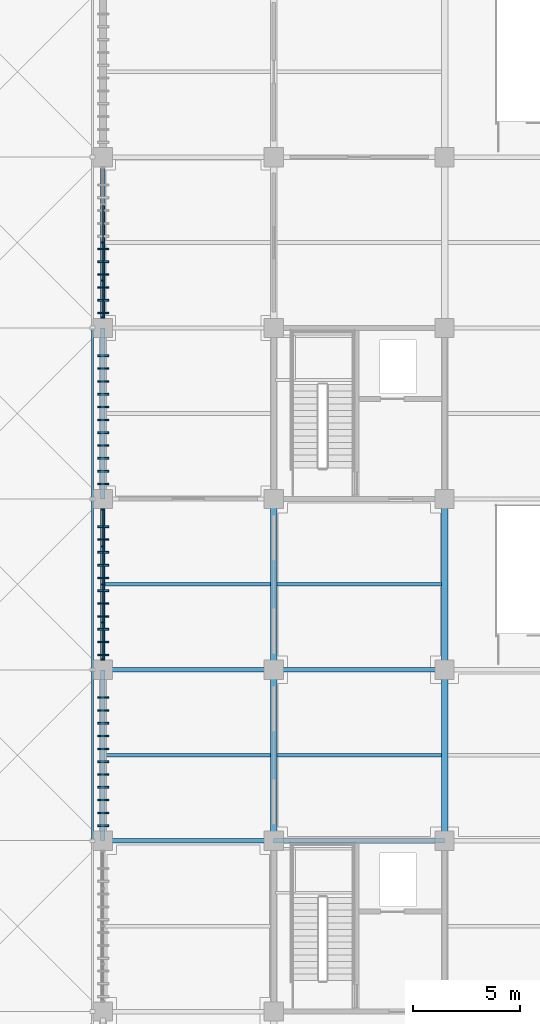
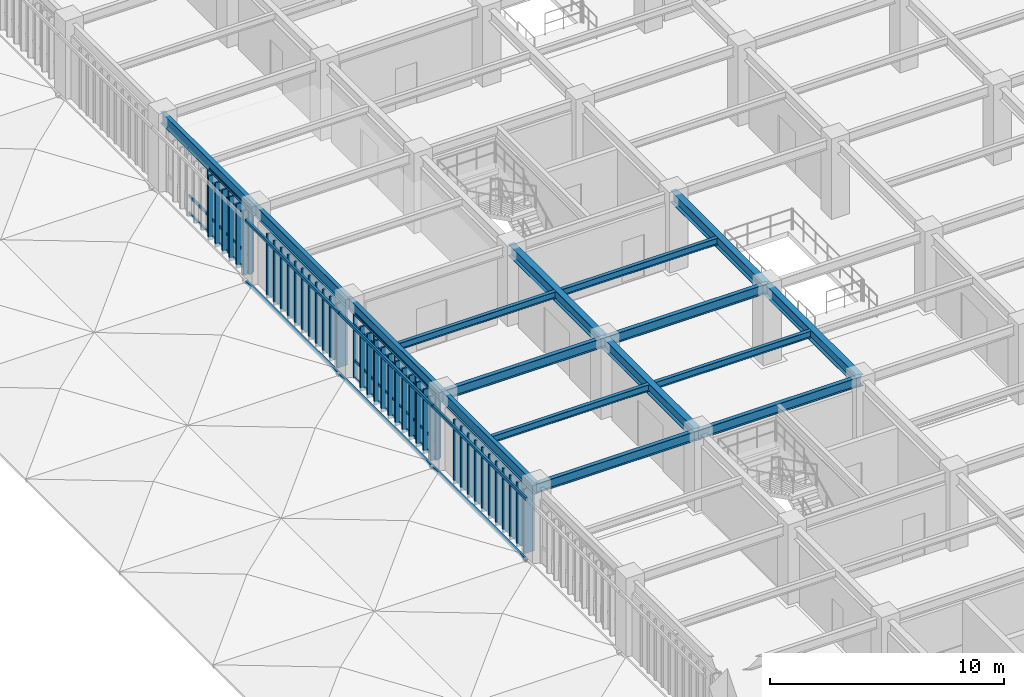
# One storey, part 25 of 118: 79 members, 16 beams, 2 elements without a shape of their own.
"""IFC4 building model written with IfcOpenShell, lengths in metres."""

from ifc_helpers import new_model, si_unit, direction, frame, origin, origin_2d, place, context, subcontext, project, spatial, rectangle, hollow_rectangle, i_section, extrude, material, layer, layer_set, material_profile, profile_set, type_object, element, aggregate, save


model = new_model("IFC4")

# Units and contexts
model_context = context("Model", 3, precision=1e-05, world=origin(), true_north=direction((0.0, 1.0)))
body_context = subcontext(model_context, "Body", "Model", "MODEL_VIEW")
ifc_project = project(units=[si_unit("LENGTHUNIT", "METRE"), si_unit("AREAUNIT", "SQUARE_METRE"), si_unit("VOLUMEUNIT", "CUBIC_METRE"), si_unit("PLANEANGLEUNIT", "RADIAN"), si_unit("MASSUNIT", "GRAM", prefix="KILO")], contexts=[model_context])

# Site, building, storey
site_placement = place(None, origin())
site = spatial("IfcSite", under=ifc_project, at=site_placement, CompositionType="ELEMENT")
building_placement = place(site_placement, origin())
building = spatial("IfcBuilding", under=site, at=building_placement, Name="Haebicheon Civic Stadium", CompositionType="ELEMENT")
storey_placement = place(building_placement, frame((0.0, 0.0, 14.39990234375)))
storey = spatial("IfcBuildingStorey", under=building, at=storey_placement, Name="L04", CompositionType="ELEMENT", Elevation=14.39990234375)

# Beams
ifc_material_1 = material(Name="Steel SM355 (S355)", Category="steel")
ifc_material_profile_1 = material_profile(ifc_material_1, i_section(OverallWidth=0.199951171875, OverallDepth=0.5, WebThickness=0.010009765625, FlangeThickness=0.01611328125, at=origin_2d()), Name="H-500x200x10x16")
ifc_profile_set_1 = profile_set([ifc_material_profile_1], Name="Steel SM355 (S355)")
beam_type_1 = type_object("IfcBeamType", Name="BM-ST-H500", PredefinedType="BEAM", material=ifc_profile_set_1)
for number, where, z_axis, x_axis, name in (
    (1, (24.0, 64.0, 3.690185546875), (1.0, 0.0, 0.0), (0.0, 1.0, 0.0), "L04 beam J/4-5"),
    (2, (24.0, 72.0, 3.690185546875), (1.0, 0.0, 0.0), (0.0, 1.0, 0.0), "L04 beam K/4-5"),
    (3, (32.0, 64.0, 3.690185546875), (1.0, 0.0, 0.0), (0.0, 1.0, 0.0), "L04 beam J/5-6"),
    (4, (32.0, 72.0, 3.690185546875), (1.0, 0.0, 0.0), (0.0, 1.0, 0.0), "L04 beam K/5-6"),
):
    element("IfcBeam", number, at=place(storey_placement, frame(where, z_axis=z_axis, x_axis=x_axis)), inside=storey, type_object=beam_type_1, material=ifc_profile_set_1, Name=name, PredefinedType="BEAM", context=body_context, shape_type="SweptSolid", body=[
        extrude(i_section(OverallWidth=0.199951171875, OverallDepth=0.5, WebThickness=0.010009765625, FlangeThickness=0.01611328125, at=origin_2d()), origin(), (0.0, 0.0, 1.0), 8.0),
    ])
ifc_material_2 = material(Name="Steel SM355 (S355)", Category="steel")
ifc_material_profile_2 = material_profile(ifc_material_2, i_section(OverallWidth=0.300048828125, OverallDepth=0.60009765625, WebThickness=0.011962890625, FlangeThickness=0.02001953125, at=origin_2d()), Name="H-600x300x12x20")
ifc_profile_set_2 = profile_set([ifc_material_profile_2], Name="Steel SM355 (S355)")
beam_type_2 = type_object("IfcBeamType", Name="BM-ST-H600A", PredefinedType="BEAM", material=ifc_profile_set_2)
for number, where, z_axis, x_axis, name in (
    (5, (32.0, 64.0, 3.64013671875), (0.0, 1.0, 0.0), (-1.0, 0.0, 0.0), "L04 girder 5/J-K"),
    (6, (32.0, 72.0, 3.64013671875), (0.0, 1.0, 0.0), (-1.0, 0.0, 0.0), "L04 girder 5/K-L"),
    (7, (40.0, 64.0, 3.64013671875), (0.0, 1.0, 0.0), (-1.0, 0.0, 0.0), "L04 girder 6/J-K"),
    (8, (40.0, 72.0, 3.64013671875), (0.0, 1.0, 0.0), (-1.0, 0.0, 0.0), "L04 girder 6/K-L"),
):
    element("IfcBeam", number, at=place(storey_placement, frame(where, z_axis=z_axis, x_axis=x_axis)), inside=storey, type_object=beam_type_2, material=ifc_profile_set_2, Name=name, PredefinedType="BEAM", context=body_context, shape_type="SweptSolid", body=[
        extrude(i_section(OverallWidth=0.300048828125, OverallDepth=0.60009765625, WebThickness=0.011962890625, FlangeThickness=0.02001953125, at=origin_2d()), origin(), (0.0, 0.0, 1.0), 8.0),
    ])

# Curtain wall, members
ifc_material_3 = material(Name="Anodised aluminium and laminated glass", Category="aluminium")
ifc_layer = layer(ifc_material_3, 0.179931640625, Name="Anodised aluminium and laminated glass")
ifc_layer_set = layer_set([ifc_layer], Name="Anodised aluminium and laminated glass")
curtain_wall_type = type_object("IfcCurtainWallType", Name="CW-7100x3330", PredefinedType="NOTDEFINED", material=ifc_layer_set)
curtain_wall_1_placement = place(storey_placement, origin())
curtain_wall_1 = element("IfcCurtainWall", 9, at=curtain_wall_1_placement, inside=storey, type_object=curtain_wall_type, material=ifc_layer_set, Name="L04 unitised curtain wall 107", PredefinedType="NOTDEFINED")
ifc_material_4 = material(Name="Anodised aluminium 6063-T6", Category="aluminium")
ifc_material_profile_3 = material_profile(ifc_material_4, rectangle(XDim=0.070068359375, YDim=0.199951171875, at=origin_2d()), Name="ALU-MULL-70x200")
ifc_profile_set_3 = profile_set([ifc_material_profile_3], Name="Anodised aluminium 6063-T6")
member_type_1 = type_object("IfcMemberType", Name="CWM-200x70", PredefinedType="MULLION", material=ifc_profile_set_3)
member_1_placement = place(storey_placement, frame((24.0, 72.485107421875, 0.0), z_axis=(0.0, 0.0, 1.0), x_axis=(0.0, 1.0, 0.0)))
member_1 = element("IfcMember", 10, at=member_1_placement, type_object=member_type_1, material=ifc_profile_set_3, Name="CW-L04-107 vertical mullion 1", PredefinedType="MULLION", context=body_context, shape_type="SweptSolid", body=[
    extrude(rectangle(XDim=0.070068359375, YDim=0.199951171875, at=origin_2d()), origin(), (0.0, 0.0, 1.0), 3.330078125),
])
member_2_placement = place(storey_placement, frame((24.0, 74.22509765625, 0.0), z_axis=(0.0, 0.0, 1.0), x_axis=(0.0, 1.0, 0.0)))
member_2 = element("IfcMember", 11, at=member_2_placement, type_object=member_type_1, material=ifc_profile_set_3, Name="CW-L04-107 vertical mullion 2", PredefinedType="MULLION", context=body_context, shape_type="SweptSolid", body=[
    extrude(rectangle(XDim=0.070068359375, YDim=0.199951171875, at=origin_2d()), origin(), (0.0, 0.0, 1.0), 3.330078125),
])
member_3_placement = place(storey_placement, frame((24.0, 76.0, 0.0), z_axis=(0.0, 0.0, 1.0), x_axis=(0.0, 1.0, 0.0)))
member_3 = element("IfcMember", 12, at=member_3_placement, type_object=member_type_1, material=ifc_profile_set_3, Name="CW-L04-107 vertical mullion 3", PredefinedType="MULLION", context=body_context, shape_type="SweptSolid", body=[
    extrude(rectangle(XDim=0.070068359375, YDim=0.199951171875, at=origin_2d()), origin(), (0.0, 0.0, 1.0), 3.330078125),
])
member_4_placement = place(storey_placement, frame((24.0, 77.77490234375, 0.0), z_axis=(0.0, 0.0, 1.0), x_axis=(0.0, 1.0, 0.0)))
member_4 = element("IfcMember", 13, at=member_4_placement, type_object=member_type_1, material=ifc_profile_set_3, Name="CW-L04-107 vertical mullion 4", PredefinedType="MULLION", context=body_context, shape_type="SweptSolid", body=[
    extrude(rectangle(XDim=0.070068359375, YDim=0.199951171875, at=origin_2d()), origin(), (0.0, 0.0, 1.0), 3.330078125),
])
member_5_placement = place(storey_placement, frame((24.0, 79.514892578125, 0.0), z_axis=(0.0, 0.0, 1.0), x_axis=(0.0, 1.0, 0.0)))
member_5 = element("IfcMember", 14, at=member_5_placement, type_object=member_type_1, material=ifc_profile_set_3, Name="CW-L04-107 vertical mullion 5", PredefinedType="MULLION", context=body_context, shape_type="SweptSolid", body=[
    extrude(rectangle(XDim=0.070068359375, YDim=0.199951171875, at=origin_2d()), origin(), (0.0, 0.0, 1.0), 3.330078125),
])

curtain_wall_2_placement = place(storey_placement, origin())
curtain_wall_2 = element("IfcCurtainWall", 15, at=curtain_wall_2_placement, inside=storey, type_object=curtain_wall_type, material=ifc_layer_set, Name="L04 unitised curtain wall 108", PredefinedType="NOTDEFINED")
member_6_placement = place(storey_placement, frame((24.0, 88.485107421875, 0.0), z_axis=(0.0, 0.0, 1.0), x_axis=(0.0, 1.0, 0.0)))
member_6 = element("IfcMember", 16, at=member_6_placement, type_object=member_type_1, material=ifc_profile_set_3, Name="CW-L04-108 vertical mullion 1", PredefinedType="MULLION", context=body_context, shape_type="SweptSolid", body=[
    extrude(rectangle(XDim=0.070068359375, YDim=0.199951171875, at=origin_2d()), origin(), (0.0, 0.0, 1.0), 3.330078125),
])
member_7_placement = place(storey_placement, frame((24.0, 90.22509765625, 0.0), z_axis=(0.0, 0.0, 1.0), x_axis=(0.0, 1.0, 0.0)))
member_7 = element("IfcMember", 17, at=member_7_placement, type_object=member_type_1, material=ifc_profile_set_3, Name="CW-L04-108 vertical mullion 2", PredefinedType="MULLION", context=body_context, shape_type="SweptSolid", body=[
    extrude(rectangle(XDim=0.070068359375, YDim=0.199951171875, at=origin_2d()), origin(), (0.0, 0.0, 1.0), 3.330078125),
])
member_8_placement = place(storey_placement, frame((24.0, 92.0, 0.0), z_axis=(0.0, 0.0, 1.0), x_axis=(0.0, 1.0, 0.0)))
member_8 = element("IfcMember", 18, at=member_8_placement, type_object=member_type_1, material=ifc_profile_set_3, Name="CW-L04-108 vertical mullion 3", PredefinedType="MULLION", context=body_context, shape_type="SweptSolid", body=[
    extrude(rectangle(XDim=0.070068359375, YDim=0.199951171875, at=origin_2d()), origin(), (0.0, 0.0, 1.0), 3.330078125),
])

# Member
ifc_material_5 = material(Name="Anodised aluminium 6063-T6", Category="aluminium")
ifc_material_profile_4 = material_profile(ifc_material_5, rectangle(XDim=0.070068359375, YDim=0.14990234375, at=origin_2d()), Name="ALU-TRAN-70x150")
ifc_profile_set_4 = profile_set([ifc_material_profile_4], Name="Anodised aluminium 6063-T6")
member_type_2 = type_object("IfcMemberType", Name="CWT-150x70", PredefinedType="NOTDEFINED", material=ifc_profile_set_4)
member_9_placement = place(storey_placement, frame((24.0, 72.52001953125, 0.0), z_axis=(0.0, 1.0, 0.0), x_axis=(-1.0, 0.0, 0.0)))
member_9 = element("IfcMember", 19, at=member_9_placement, type_object=member_type_2, material=ifc_profile_set_4, Name="CW-L04-107 horizontal transom 1.1", ObjectType="TRANSOM", PredefinedType="USERDEFINED", context=body_context, shape_type="SweptSolid", body=[
    extrude(rectangle(XDim=0.070068359375, YDim=0.14990234375, at=origin_2d()), origin(), (0.0, 0.0, 1.0), 1.669921875),
])

member_10_placement = place(storey_placement, frame((24.0, 72.52001953125, 0.900146484375), z_axis=(0.0, 1.0, 0.0), x_axis=(-1.0, 0.0, 0.0)))
member_10 = element("IfcMember", 20, at=member_10_placement, type_object=member_type_2, material=ifc_profile_set_4, Name="CW-L04-107 horizontal transom 1.2", ObjectType="TRANSOM", PredefinedType="USERDEFINED", context=body_context, shape_type="SweptSolid", body=[
    extrude(rectangle(XDim=0.070068359375, YDim=0.14990234375, at=origin_2d()), origin(), (0.0, 0.0, 1.0), 1.669921875),
])

member_11_placement = place(storey_placement, frame((24.0, 72.52001953125, 2.780029296875), z_axis=(0.0, 1.0, 0.0), x_axis=(-1.0, 0.0, 0.0)))
member_11 = element("IfcMember", 21, at=member_11_placement, type_object=member_type_2, material=ifc_profile_set_4, Name="CW-L04-107 horizontal transom 1.3", ObjectType="TRANSOM", PredefinedType="USERDEFINED", context=body_context, shape_type="SweptSolid", body=[
    extrude(rectangle(XDim=0.070068359375, YDim=0.14990234375, at=origin_2d()), origin(), (0.0, 0.0, 1.0), 1.669921875),
])

member_12_placement = place(storey_placement, frame((24.0, 72.52001953125, 3.330078125), z_axis=(0.0, 1.0, 0.0), x_axis=(-1.0, 0.0, 0.0)))
member_12 = element("IfcMember", 22, at=member_12_placement, type_object=member_type_2, material=ifc_profile_set_4, Name="CW-L04-107 horizontal transom 1.4", ObjectType="TRANSOM", PredefinedType="USERDEFINED", context=body_context, shape_type="SweptSolid", body=[
    extrude(rectangle(XDim=0.070068359375, YDim=0.14990234375, at=origin_2d()), origin(), (0.0, 0.0, 1.0), 1.669921875),
])

member_13_placement = place(storey_placement, frame((24.0, 74.260009765625, 0.0), z_axis=(0.0, 1.0, 0.0), x_axis=(-1.0, 0.0, 0.0)))
member_13 = element("IfcMember", 23, at=member_13_placement, type_object=member_type_2, material=ifc_profile_set_4, Name="CW-L04-107 horizontal transom 2.1", ObjectType="TRANSOM", PredefinedType="USERDEFINED", context=body_context, shape_type="SweptSolid", body=[
    extrude(rectangle(XDim=0.070068359375, YDim=0.14990234375, at=origin_2d()), origin(), (0.0, 0.0, 1.0), 1.705078125),
])

member_14_placement = place(storey_placement, frame((24.0, 74.260009765625, 0.900146484375), z_axis=(0.0, 1.0, 0.0), x_axis=(-1.0, 0.0, 0.0)))
member_14 = element("IfcMember", 24, at=member_14_placement, type_object=member_type_2, material=ifc_profile_set_4, Name="CW-L04-107 horizontal transom 2.2", ObjectType="TRANSOM", PredefinedType="USERDEFINED", context=body_context, shape_type="SweptSolid", body=[
    extrude(rectangle(XDim=0.070068359375, YDim=0.14990234375, at=origin_2d()), origin(), (0.0, 0.0, 1.0), 1.705078125),
])

member_15_placement = place(storey_placement, frame((24.0, 74.260009765625, 2.780029296875), z_axis=(0.0, 1.0, 0.0), x_axis=(-1.0, 0.0, 0.0)))
member_15 = element("IfcMember", 25, at=member_15_placement, type_object=member_type_2, material=ifc_profile_set_4, Name="CW-L04-107 horizontal transom 2.3", ObjectType="TRANSOM", PredefinedType="USERDEFINED", context=body_context, shape_type="SweptSolid", body=[
    extrude(rectangle(XDim=0.070068359375, YDim=0.14990234375, at=origin_2d()), origin(), (0.0, 0.0, 1.0), 1.705078125),
])

member_16_placement = place(storey_placement, frame((24.0, 74.260009765625, 3.330078125), z_axis=(0.0, 1.0, 0.0), x_axis=(-1.0, 0.0, 0.0)))
member_16 = element("IfcMember", 26, at=member_16_placement, type_object=member_type_2, material=ifc_profile_set_4, Name="CW-L04-107 horizontal transom 2.4", ObjectType="TRANSOM", PredefinedType="USERDEFINED", context=body_context, shape_type="SweptSolid", body=[
    extrude(rectangle(XDim=0.070068359375, YDim=0.14990234375, at=origin_2d()), origin(), (0.0, 0.0, 1.0), 1.705078125),
])

member_17_placement = place(storey_placement, frame((24.0, 76.034912109375, 0.0), z_axis=(0.0, 1.0, 0.0), x_axis=(-1.0, 0.0, 0.0)))
member_17 = element("IfcMember", 27, at=member_17_placement, type_object=member_type_2, material=ifc_profile_set_4, Name="CW-L04-107 horizontal transom 3.1", ObjectType="TRANSOM", PredefinedType="USERDEFINED", context=body_context, shape_type="SweptSolid", body=[
    extrude(rectangle(XDim=0.070068359375, YDim=0.14990234375, at=origin_2d()), origin(), (0.0, 0.0, 1.0), 1.705078125),
])

member_18_placement = place(storey_placement, frame((24.0, 76.034912109375, 0.900146484375), z_axis=(0.0, 1.0, 0.0), x_axis=(-1.0, 0.0, 0.0)))
member_18 = element("IfcMember", 28, at=member_18_placement, type_object=member_type_2, material=ifc_profile_set_4, Name="CW-L04-107 horizontal transom 3.2", ObjectType="TRANSOM", PredefinedType="USERDEFINED", context=body_context, shape_type="SweptSolid", body=[
    extrude(rectangle(XDim=0.070068359375, YDim=0.14990234375, at=origin_2d()), origin(), (0.0, 0.0, 1.0), 1.705078125),
])

member_19_placement = place(storey_placement, frame((24.0, 76.034912109375, 2.780029296875), z_axis=(0.0, 1.0, 0.0), x_axis=(-1.0, 0.0, 0.0)))
member_19 = element("IfcMember", 29, at=member_19_placement, type_object=member_type_2, material=ifc_profile_set_4, Name="CW-L04-107 horizontal transom 3.3", ObjectType="TRANSOM", PredefinedType="USERDEFINED", context=body_context, shape_type="SweptSolid", body=[
    extrude(rectangle(XDim=0.070068359375, YDim=0.14990234375, at=origin_2d()), origin(), (0.0, 0.0, 1.0), 1.705078125),
])

member_20_placement = place(storey_placement, frame((24.0, 76.034912109375, 3.330078125), z_axis=(0.0, 1.0, 0.0), x_axis=(-1.0, 0.0, 0.0)))
member_20 = element("IfcMember", 30, at=member_20_placement, type_object=member_type_2, material=ifc_profile_set_4, Name="CW-L04-107 horizontal transom 3.4", ObjectType="TRANSOM", PredefinedType="USERDEFINED", context=body_context, shape_type="SweptSolid", body=[
    extrude(rectangle(XDim=0.070068359375, YDim=0.14990234375, at=origin_2d()), origin(), (0.0, 0.0, 1.0), 1.705078125),
])

member_21_placement = place(storey_placement, frame((24.0, 77.81005859375, 0.0), z_axis=(0.0, 1.0, 0.0), x_axis=(-1.0, 0.0, 0.0)))
member_21 = element("IfcMember", 31, at=member_21_placement, type_object=member_type_2, material=ifc_profile_set_4, Name="CW-L04-107 horizontal transom 4.1", ObjectType="TRANSOM", PredefinedType="USERDEFINED", context=body_context, shape_type="SweptSolid", body=[
    extrude(rectangle(XDim=0.070068359375, YDim=0.14990234375, at=origin_2d()), origin(), (0.0, 0.0, 1.0), 1.669921875),
])

member_22_placement = place(storey_placement, frame((24.0, 77.81005859375, 0.900146484375), z_axis=(0.0, 1.0, 0.0), x_axis=(-1.0, 0.0, 0.0)))
member_22 = element("IfcMember", 32, at=member_22_placement, type_object=member_type_2, material=ifc_profile_set_4, Name="CW-L04-107 horizontal transom 4.2", ObjectType="TRANSOM", PredefinedType="USERDEFINED", context=body_context, shape_type="SweptSolid", body=[
    extrude(rectangle(XDim=0.070068359375, YDim=0.14990234375, at=origin_2d()), origin(), (0.0, 0.0, 1.0), 1.669921875),
])

member_23_placement = place(storey_placement, frame((24.0, 77.81005859375, 2.780029296875), z_axis=(0.0, 1.0, 0.0), x_axis=(-1.0, 0.0, 0.0)))
member_23 = element("IfcMember", 33, at=member_23_placement, type_object=member_type_2, material=ifc_profile_set_4, Name="CW-L04-107 horizontal transom 4.3", ObjectType="TRANSOM", PredefinedType="USERDEFINED", context=body_context, shape_type="SweptSolid", body=[
    extrude(rectangle(XDim=0.070068359375, YDim=0.14990234375, at=origin_2d()), origin(), (0.0, 0.0, 1.0), 1.669921875),
])

member_24_placement = place(storey_placement, frame((24.0, 77.81005859375, 3.330078125), z_axis=(0.0, 1.0, 0.0), x_axis=(-1.0, 0.0, 0.0)))
member_24 = element("IfcMember", 34, at=member_24_placement, type_object=member_type_2, material=ifc_profile_set_4, Name="CW-L04-107 horizontal transom 4.4", ObjectType="TRANSOM", PredefinedType="USERDEFINED", context=body_context, shape_type="SweptSolid", body=[
    extrude(rectangle(XDim=0.070068359375, YDim=0.14990234375, at=origin_2d()), origin(), (0.0, 0.0, 1.0), 1.669921875),
])

aggregate(curtain_wall_1, [member_1, member_2, member_3, member_4, member_5, member_9, member_10, member_11, member_12, member_13, member_14, member_15, member_16, member_17, member_18, member_19, member_20, member_21, member_22, member_23, member_24])

member_25_placement = place(storey_placement, frame((24.0, 88.52001953125, 0.0), z_axis=(0.0, 1.0, 0.0), x_axis=(-1.0, 0.0, 0.0)))
member_25 = element("IfcMember", 35, at=member_25_placement, type_object=member_type_2, material=ifc_profile_set_4, Name="CW-L04-108 horizontal transom 1.1", ObjectType="TRANSOM", PredefinedType="USERDEFINED", context=body_context, shape_type="SweptSolid", body=[
    extrude(rectangle(XDim=0.070068359375, YDim=0.14990234375, at=origin_2d()), origin(), (0.0, 0.0, 1.0), 1.669921875),
])

member_26_placement = place(storey_placement, frame((24.0, 88.52001953125, 0.900146484375), z_axis=(0.0, 1.0, 0.0), x_axis=(-1.0, 0.0, 0.0)))
member_26 = element("IfcMember", 36, at=member_26_placement, type_object=member_type_2, material=ifc_profile_set_4, Name="CW-L04-108 horizontal transom 1.2", ObjectType="TRANSOM", PredefinedType="USERDEFINED", context=body_context, shape_type="SweptSolid", body=[
    extrude(rectangle(XDim=0.070068359375, YDim=0.14990234375, at=origin_2d()), origin(), (0.0, 0.0, 1.0), 1.669921875),
])

member_27_placement = place(storey_placement, frame((24.0, 88.52001953125, 2.780029296875), z_axis=(0.0, 1.0, 0.0), x_axis=(-1.0, 0.0, 0.0)))
member_27 = element("IfcMember", 37, at=member_27_placement, type_object=member_type_2, material=ifc_profile_set_4, Name="CW-L04-108 horizontal transom 1.3", ObjectType="TRANSOM", PredefinedType="USERDEFINED", context=body_context, shape_type="SweptSolid", body=[
    extrude(rectangle(XDim=0.070068359375, YDim=0.14990234375, at=origin_2d()), origin(), (0.0, 0.0, 1.0), 1.669921875),
])

member_28_placement = place(storey_placement, frame((24.0, 88.52001953125, 3.330078125), z_axis=(0.0, 1.0, 0.0), x_axis=(-1.0, 0.0, 0.0)))
member_28 = element("IfcMember", 38, at=member_28_placement, type_object=member_type_2, material=ifc_profile_set_4, Name="CW-L04-108 horizontal transom 1.4", ObjectType="TRANSOM", PredefinedType="USERDEFINED", context=body_context, shape_type="SweptSolid", body=[
    extrude(rectangle(XDim=0.070068359375, YDim=0.14990234375, at=origin_2d()), origin(), (0.0, 0.0, 1.0), 1.669921875),
])

member_29_placement = place(storey_placement, frame((24.0, 90.260009765625, 0.0), z_axis=(0.0, 1.0, 0.0), x_axis=(-1.0, 0.0, 0.0)))
member_29 = element("IfcMember", 39, at=member_29_placement, type_object=member_type_2, material=ifc_profile_set_4, Name="CW-L04-108 horizontal transom 2.1", ObjectType="TRANSOM", PredefinedType="USERDEFINED", context=body_context, shape_type="SweptSolid", body=[
    extrude(rectangle(XDim=0.070068359375, YDim=0.14990234375, at=origin_2d()), origin(), (0.0, 0.0, 1.0), 1.705078125),
])

member_30_placement = place(storey_placement, frame((24.0, 90.260009765625, 0.900146484375), z_axis=(0.0, 1.0, 0.0), x_axis=(-1.0, 0.0, 0.0)))
member_30 = element("IfcMember", 40, at=member_30_placement, type_object=member_type_2, material=ifc_profile_set_4, Name="CW-L04-108 horizontal transom 2.2", ObjectType="TRANSOM", PredefinedType="USERDEFINED", context=body_context, shape_type="SweptSolid", body=[
    extrude(rectangle(XDim=0.070068359375, YDim=0.14990234375, at=origin_2d()), origin(), (0.0, 0.0, 1.0), 1.705078125),
])

member_31_placement = place(storey_placement, frame((24.0, 90.260009765625, 2.780029296875), z_axis=(0.0, 1.0, 0.0), x_axis=(-1.0, 0.0, 0.0)))
member_31 = element("IfcMember", 41, at=member_31_placement, type_object=member_type_2, material=ifc_profile_set_4, Name="CW-L04-108 horizontal transom 2.3", ObjectType="TRANSOM", PredefinedType="USERDEFINED", context=body_context, shape_type="SweptSolid", body=[
    extrude(rectangle(XDim=0.070068359375, YDim=0.14990234375, at=origin_2d()), origin(), (0.0, 0.0, 1.0), 1.705078125),
])

member_32_placement = place(storey_placement, frame((24.0, 90.260009765625, 3.330078125), z_axis=(0.0, 1.0, 0.0), x_axis=(-1.0, 0.0, 0.0)))
member_32 = element("IfcMember", 42, at=member_32_placement, type_object=member_type_2, material=ifc_profile_set_4, Name="CW-L04-108 horizontal transom 2.4", ObjectType="TRANSOM", PredefinedType="USERDEFINED", context=body_context, shape_type="SweptSolid", body=[
    extrude(rectangle(XDim=0.070068359375, YDim=0.14990234375, at=origin_2d()), origin(), (0.0, 0.0, 1.0), 1.705078125),
])

member_33_placement = place(storey_placement, frame((24.0, 92.034912109375, 0.0), z_axis=(0.0, 1.0, 0.0), x_axis=(-1.0, 0.0, 0.0)))
member_33 = element("IfcMember", 43, at=member_33_placement, type_object=member_type_2, material=ifc_profile_set_4, Name="CW-L04-108 horizontal transom 3.1", ObjectType="TRANSOM", PredefinedType="USERDEFINED", context=body_context, shape_type="SweptSolid", body=[
    extrude(rectangle(XDim=0.070068359375, YDim=0.14990234375, at=origin_2d()), origin(), (0.0, 0.0, 1.0), 1.705078125),
])

member_34_placement = place(storey_placement, frame((24.0, 92.034912109375, 0.900146484375), z_axis=(0.0, 1.0, 0.0), x_axis=(-1.0, 0.0, 0.0)))
member_34 = element("IfcMember", 44, at=member_34_placement, type_object=member_type_2, material=ifc_profile_set_4, Name="CW-L04-108 horizontal transom 3.2", ObjectType="TRANSOM", PredefinedType="USERDEFINED", context=body_context, shape_type="SweptSolid", body=[
    extrude(rectangle(XDim=0.070068359375, YDim=0.14990234375, at=origin_2d()), origin(), (0.0, 0.0, 1.0), 1.705078125),
])

aggregate(curtain_wall_2, [member_6, member_7, member_8, member_25, member_26, member_27, member_28, member_29, member_30, member_31, member_32, member_33, member_34])

# Beams
ifc_material_6 = material(Name="Steel SM355 (S355)", Category="steel")
ifc_material_profile_5 = material_profile(ifc_material_6, i_section(OverallWidth=0.175048828125, OverallDepth=0.35009765625, WebThickness=0.007080078125, FlangeThickness=0.010986328125, at=origin_2d()), Name="H-350x175x7x11")
ifc_profile_set_5 = profile_set([ifc_material_profile_5], Name="Steel SM355 (S355)")
beam_type_3 = type_object("IfcBeamType", Name="JST-ST-H350", PredefinedType="JOIST", material=ifc_profile_set_5)
for number, where, z_axis, x_axis, name in (
    (45, (24.10009765625, 68.0, 3.76513671875), (1.0, 0.0, 0.0), (0.0, 1.0, 0.0), "L04 secondary joist 03-08"),
    (46, (24.10009765625, 76.0, 3.76513671875), (1.0, 0.0, 0.0), (0.0, 1.0, 0.0), "L04 secondary joist 03-09"),
):
    element("IfcBeam", number, at=place(storey_placement, frame(where, z_axis=z_axis, x_axis=x_axis)), inside=storey, type_object=beam_type_3, material=ifc_profile_set_5, Name=name, PredefinedType="JOIST", context=body_context, shape_type="SweptSolid", body=[
        extrude(i_section(OverallWidth=0.175048828125, OverallDepth=0.35009765625, WebThickness=0.007080078125, FlangeThickness=0.010986328125, at=origin_2d()), origin(), (0.0, 0.0, 1.0), 7.75),
    ])
for number, where, z_axis, x_axis, name in (
    (47, (32.14990234375, 68.0, 3.76513671875), (1.0, 0.0, 0.0), (0.0, 1.0, 0.0), "L04 secondary joist 04-08"),
    (48, (32.14990234375, 76.0, 3.76513671875), (1.0, 0.0, 0.0), (0.0, 1.0, 0.0), "L04 secondary joist 04-09"),
):
    element("IfcBeam", number, at=place(storey_placement, frame(where, z_axis=z_axis, x_axis=x_axis)), inside=storey, type_object=beam_type_3, material=ifc_profile_set_5, Name=name, PredefinedType="JOIST", context=body_context, shape_type="SweptSolid", body=[
        extrude(i_section(OverallWidth=0.175048828125, OverallDepth=0.35009765625, WebThickness=0.007080078125, FlangeThickness=0.010986328125, at=origin_2d()), origin(), (0.0, 0.0, 1.0), 7.7001953125),
    ])

# Members
ifc_material_7 = material(Name="Acetylated timber GL28h", Category="wood")
ifc_material_profile_6 = material_profile(ifc_material_7, rectangle(XDim=0.080078125, YDim=0.52001953125, at=origin_2d()), Name="TMB-LOUV-80x520")
ifc_profile_set_6 = profile_set([ifc_material_profile_6], Name="Acetylated timber GL28h")
member_type_3 = type_object("IfcMemberType", Name="LVR-TIM-520x80", PredefinedType="PLATE", material=ifc_profile_set_6)
for number, where, z_axis, x_axis, name in (
    (49, (24.02001953125, 64.699951171875, -0.119873046875), (0.0, 0.0, 1.0), (0.0, 1.0, 0.0), "SCR-WEST L04 acetylated timber storm louvre fin 3.1"),
    (50, (24.02001953125, 65.300048828125, -0.119873046875), (0.0, 0.0, 1.0), (0.0, 1.0, 0.0), "SCR-WEST L04 acetylated timber storm louvre fin 3.2"),
    (51, (24.02001953125, 65.89990234375, -0.119873046875), (0.0, 0.0, 1.0), (0.0, 1.0, 0.0), "SCR-WEST L04 acetylated timber storm louvre fin 3.3"),
    (52, (24.02001953125, 66.5, -0.119873046875), (0.0, 0.0, 1.0), (0.0, 1.0, 0.0), "SCR-WEST L04 acetylated timber storm louvre fin 3.4"),
    (53, (24.02001953125, 67.10009765625, -0.119873046875), (0.0, 0.0, 1.0), (0.0, 1.0, 0.0), "SCR-WEST L04 acetylated timber storm louvre fin 3.5"),
    (54, (24.02001953125, 67.699951171875, -0.119873046875), (0.0, 0.0, 1.0), (0.0, 1.0, 0.0), "SCR-WEST L04 acetylated timber storm louvre fin 3.6"),
    (55, (24.02001953125, 68.300048828125, -0.119873046875), (0.0, 0.0, 1.0), (0.0, 1.0, 0.0), "SCR-WEST L04 acetylated timber storm louvre fin 3.7"),
    (56, (24.02001953125, 68.89990234375, -0.119873046875), (0.0, 0.0, 1.0), (0.0, 1.0, 0.0), "SCR-WEST L04 acetylated timber storm louvre fin 3.8"),
    (57, (24.02001953125, 69.5, -0.119873046875), (0.0, 0.0, 1.0), (0.0, 1.0, 0.0), "SCR-WEST L04 acetylated timber storm louvre fin 3.9"),
    (58, (24.02001953125, 70.10009765625, -0.119873046875), (0.0, 0.0, 1.0), (0.0, 1.0, 0.0), "SCR-WEST L04 acetylated timber storm louvre fin 3.10"),
    (59, (24.02001953125, 70.699951171875, -0.119873046875), (0.0, 0.0, 1.0), (0.0, 1.0, 0.0), "SCR-WEST L04 acetylated timber storm louvre fin 3.11"),
    (60, (24.02001953125, 72.699951171875, -0.119873046875), (0.0, 0.0, 1.0), (0.0, 1.0, 0.0), "SCR-WEST L04 acetylated timber storm louvre fin 4.1"),
    (61, (24.02001953125, 73.300048828125, -0.119873046875), (0.0, 0.0, 1.0), (0.0, 1.0, 0.0), "SCR-WEST L04 acetylated timber storm louvre fin 4.2"),
    (62, (24.02001953125, 73.89990234375, -0.119873046875), (0.0, 0.0, 1.0), (0.0, 1.0, 0.0), "SCR-WEST L04 acetylated timber storm louvre fin 4.3"),
    (63, (24.02001953125, 74.5, -0.119873046875), (0.0, 0.0, 1.0), (0.0, 1.0, 0.0), "SCR-WEST L04 acetylated timber storm louvre fin 4.4"),
    (64, (24.02001953125, 75.10009765625, -0.119873046875), (0.0, 0.0, 1.0), (0.0, 1.0, 0.0), "SCR-WEST L04 acetylated timber storm louvre fin 4.5"),
    (65, (24.02001953125, 75.699951171875, -0.119873046875), (0.0, 0.0, 1.0), (0.0, 1.0, 0.0), "SCR-WEST L04 acetylated timber storm louvre fin 4.6"),
    (66, (24.02001953125, 76.300048828125, -0.119873046875), (0.0, 0.0, 1.0), (0.0, 1.0, 0.0), "SCR-WEST L04 acetylated timber storm louvre fin 4.7"),
    (67, (24.02001953125, 76.89990234375, -0.119873046875), (0.0, 0.0, 1.0), (0.0, 1.0, 0.0), "SCR-WEST L04 acetylated timber storm louvre fin 4.8"),
    (68, (24.02001953125, 77.5, -0.119873046875), (0.0, 0.0, 1.0), (0.0, 1.0, 0.0), "SCR-WEST L04 acetylated timber storm louvre fin 4.9"),
    (69, (24.02001953125, 78.10009765625, -0.119873046875), (0.0, 0.0, 1.0), (0.0, 1.0, 0.0), "SCR-WEST L04 acetylated timber storm louvre fin 4.10"),
    (70, (24.02001953125, 78.699951171875, -0.119873046875), (0.0, 0.0, 1.0), (0.0, 1.0, 0.0), "SCR-WEST L04 acetylated timber storm louvre fin 4.11"),
    (71, (24.02001953125, 80.699951171875, -0.119873046875), (0.0, 0.0, 1.0), (0.0, 1.0, 0.0), "SCR-WEST L04 acetylated timber storm louvre fin 5.1"),
    (72, (24.02001953125, 81.300048828125, -0.119873046875), (0.0, 0.0, 1.0), (0.0, 1.0, 0.0), "SCR-WEST L04 acetylated timber storm louvre fin 5.2"),
    (73, (24.02001953125, 81.89990234375, -0.119873046875), (0.0, 0.0, 1.0), (0.0, 1.0, 0.0), "SCR-WEST L04 acetylated timber storm louvre fin 5.3"),
    (74, (24.02001953125, 82.5, -0.119873046875), (0.0, 0.0, 1.0), (0.0, 1.0, 0.0), "SCR-WEST L04 acetylated timber storm louvre fin 5.4"),
    (75, (24.02001953125, 83.10009765625, -0.119873046875), (0.0, 0.0, 1.0), (0.0, 1.0, 0.0), "SCR-WEST L04 acetylated timber storm louvre fin 5.5"),
    (76, (24.02001953125, 83.699951171875, -0.119873046875), (0.0, 0.0, 1.0), (0.0, 1.0, 0.0), "SCR-WEST L04 acetylated timber storm louvre fin 5.6"),
    (77, (24.02001953125, 84.300048828125, -0.119873046875), (0.0, 0.0, 1.0), (0.0, 1.0, 0.0), "SCR-WEST L04 acetylated timber storm louvre fin 5.7"),
    (78, (24.02001953125, 84.89990234375, -0.119873046875), (0.0, 0.0, 1.0), (0.0, 1.0, 0.0), "SCR-WEST L04 acetylated timber storm louvre fin 5.8"),
    (79, (24.02001953125, 85.5, -0.119873046875), (0.0, 0.0, 1.0), (0.0, 1.0, 0.0), "SCR-WEST L04 acetylated timber storm louvre fin 5.9"),
    (80, (24.02001953125, 86.10009765625, -0.119873046875), (0.0, 0.0, 1.0), (0.0, 1.0, 0.0), "SCR-WEST L04 acetylated timber storm louvre fin 5.10"),
    (81, (24.02001953125, 86.699951171875, -0.119873046875), (0.0, 0.0, 1.0), (0.0, 1.0, 0.0), "SCR-WEST L04 acetylated timber storm louvre fin 5.11"),
    (82, (24.02001953125, 88.699951171875, -0.119873046875), (0.0, 0.0, 1.0), (0.0, 1.0, 0.0), "SCR-WEST L04 acetylated timber storm louvre fin 6.1"),
    (83, (24.02001953125, 89.300048828125, -0.119873046875), (0.0, 0.0, 1.0), (0.0, 1.0, 0.0), "SCR-WEST L04 acetylated timber storm louvre fin 6.2"),
    (84, (24.02001953125, 89.89990234375, -0.119873046875), (0.0, 0.0, 1.0), (0.0, 1.0, 0.0), "SCR-WEST L04 acetylated timber storm louvre fin 6.3"),
    (85, (24.02001953125, 90.5, -0.119873046875), (0.0, 0.0, 1.0), (0.0, 1.0, 0.0), "SCR-WEST L04 acetylated timber storm louvre fin 6.4"),
    (86, (24.02001953125, 91.10009765625, -0.119873046875), (0.0, 0.0, 1.0), (0.0, 1.0, 0.0), "SCR-WEST L04 acetylated timber storm louvre fin 6.5"),
    (87, (24.02001953125, 91.699951171875, -0.119873046875), (0.0, 0.0, 1.0), (0.0, 1.0, 0.0), "SCR-WEST L04 acetylated timber storm louvre fin 6.6"),
):
    element("IfcMember", number, at=place(storey_placement, frame(where, z_axis=z_axis, x_axis=x_axis)), inside=storey, type_object=member_type_3, material=ifc_profile_set_6, Name=name, PredefinedType="PLATE", context=body_context, shape_type="SweptSolid", body=[
        extrude(rectangle(XDim=0.080078125, YDim=0.52001953125, at=origin_2d()), origin(), (0.0, 0.0, 1.0), 3.369873046875),
    ])

# Beams
ifc_material_8 = material(Name="Steel SM355 (S355)", Category="steel")
ifc_material_profile_7 = material_profile(ifc_material_8, i_section(OverallWidth=0.199951171875, OverallDepth=0.60009765625, WebThickness=0.010986328125, FlangeThickness=0.01708984375, at=origin_2d()), Name="H-600x200x11x17")
ifc_profile_set_7 = profile_set([ifc_material_profile_7], Name="Steel SM355 (S355)")
beam_type_4 = type_object("IfcBeamType", Name="SPD-ST-H600B", PredefinedType="SPANDREL", material=ifc_profile_set_7)
for number, where, z_axis, x_axis, name in (
    (88, (24.0, 64.0, 3.64013671875), (0.0, 1.0, 0.0), (-1.0, 0.0, 0.0), "L04 girder 4/J-K"),
    (89, (24.0, 72.0, 3.64013671875), (0.0, 1.0, 0.0), (-1.0, 0.0, 0.0), "L04 girder 4/K-L"),
    (90, (24.0, 80.0, 3.64013671875), (0.0, 1.0, 0.0), (-1.0, 0.0, 0.0), "L04 girder 4/L-M"),
    (91, (24.0, 88.0, 3.64013671875), (0.0, 1.0, 0.0), (-1.0, 0.0, 0.0), "L04 girder 4/M-N"),
):
    element("IfcBeam", number, at=place(storey_placement, frame(where, z_axis=z_axis, x_axis=x_axis)), inside=storey, type_object=beam_type_4, material=ifc_profile_set_7, Name=name, PredefinedType="SPANDREL", context=body_context, shape_type="SweptSolid", body=[
        extrude(i_section(OverallWidth=0.199951171875, OverallDepth=0.60009765625, WebThickness=0.010986328125, FlangeThickness=0.01708984375, at=origin_2d()), origin(), (0.0, 0.0, 1.0), 8.0),
    ])

# Members
ifc_material_9 = material(Name="Steel SM355 (S355)", Category="steel")
ifc_material_profile_8 = material_profile(ifc_material_9, hollow_rectangle(XDim=0.10009765625, YDim=0.14990234375, WallThickness=0.006103515625, at=origin_2d()), Name="RHS-150x100x6.0")
ifc_profile_set_8 = profile_set([ifc_material_profile_8], Name="Steel SM355 (S355)")
member_type_4 = type_object("IfcMemberType", Name="SUB-RHS150", PredefinedType="STRINGER", material=ifc_profile_set_8)
for number, where, z_axis, x_axis, name in (
    (92, (23.510009765625, 64.0, 0.06005859375), (0.0, 1.0, 0.0), (-1.0, 0.0, 0.0), "SCR-WEST L04 storm-louvre bottom carrier rail 3"),
    (93, (23.510009765625, 64.0, 3.25), (0.0, 1.0, 0.0), (-1.0, 0.0, 0.0), "SCR-WEST L04 storm-louvre top carrier rail 3"),
    (94, (23.510009765625, 72.0, 0.06005859375), (0.0, 1.0, 0.0), (-1.0, 0.0, 0.0), "SCR-WEST L04 storm-louvre bottom carrier rail 4"),
    (95, (23.510009765625, 72.0, 3.25), (0.0, 1.0, 0.0), (-1.0, 0.0, 0.0), "SCR-WEST L04 storm-louvre top carrier rail 4"),
    (96, (23.510009765625, 80.0, 0.06005859375), (0.0, 1.0, 0.0), (-1.0, 0.0, 0.0), "SCR-WEST L04 storm-louvre bottom carrier rail 5"),
    (97, (23.510009765625, 80.0, 3.25), (0.0, 1.0, 0.0), (-1.0, 0.0, 0.0), "SCR-WEST L04 storm-louvre top carrier rail 5"),
):
    element("IfcMember", number, at=place(storey_placement, frame(where, z_axis=z_axis, x_axis=x_axis)), inside=storey, type_object=member_type_4, material=ifc_profile_set_8, Name=name, PredefinedType="STRINGER", context=body_context, shape_type="SweptSolid", body=[
        extrude(hollow_rectangle(XDim=0.10009765625, YDim=0.14990234375, WallThickness=0.006103515625, at=origin_2d()), origin(), (0.0, 0.0, 1.0), 8.0),
    ])

save(model, "model.ifc")
